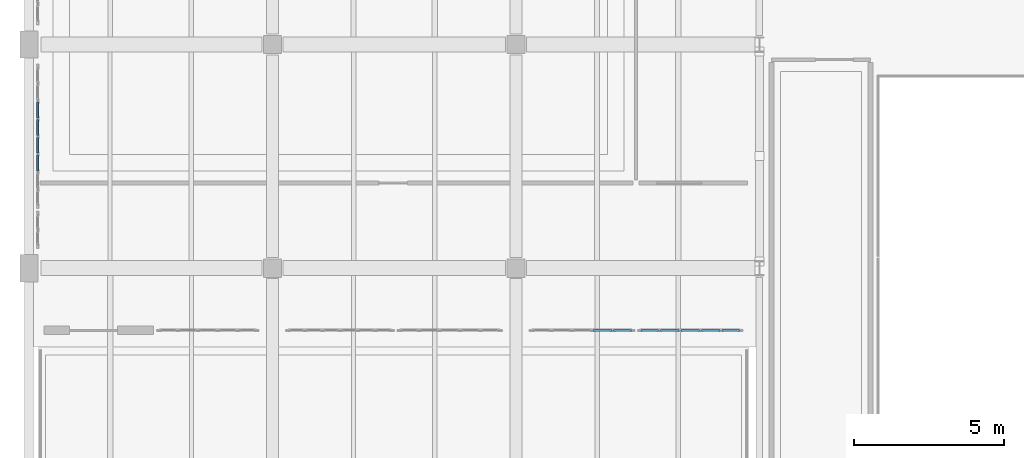
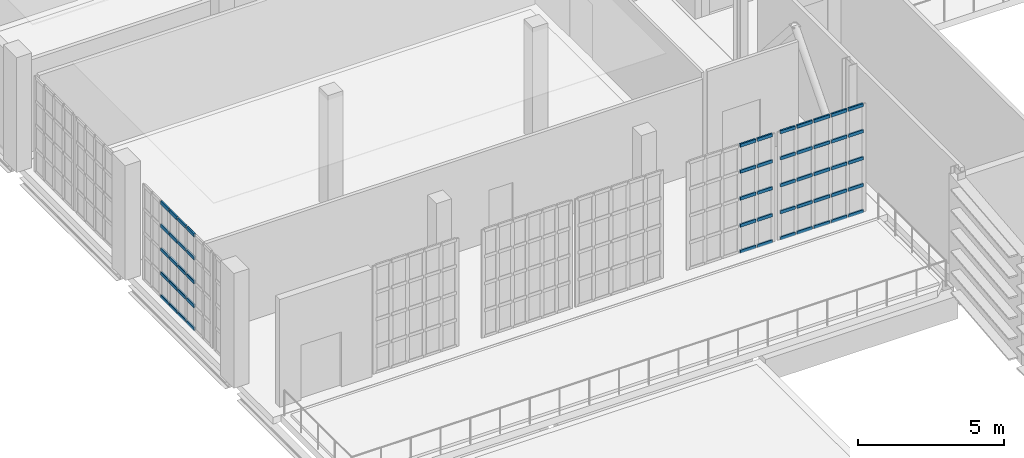
# One storey, part 55 of 104: 55 members, 3 elements without a shape of their own.
"""IFC4 building model written with IfcOpenShell, lengths in metres."""

from ifc_helpers import new_model, si_unit, direction, frame, origin, origin_2d, place, context, subcontext, project, spatial, hollow_rectangle, extrude, material, material_profile, profile_set, type_object, element, aggregate, save


model = new_model("IFC4")

# Units and contexts
model_context = context("Model", 3, precision=1e-05, world=origin(), true_north=direction((0.0, 1.0)))
body_context = subcontext(model_context, "Body", "Model", "MODEL_VIEW")
ifc_project = project(units=[si_unit("LENGTHUNIT", "METRE"), si_unit("AREAUNIT", "SQUARE_METRE"), si_unit("VOLUMEUNIT", "CUBIC_METRE"), si_unit("PLANEANGLEUNIT", "RADIAN"), si_unit("MASSUNIT", "GRAM", prefix="KILO")], contexts=[model_context])

# Site, building, storey
site_placement = place(None, origin())
site = spatial("IfcSite", under=ifc_project, at=site_placement, CompositionType="ELEMENT")
building_placement = place(site_placement, origin())
building = spatial("IfcBuilding", under=site, at=building_placement, Name="Kaelora Sail Theatre", CompositionType="ELEMENT")
storey_placement = place(building_placement, frame((0.0, 0.0, 5.39990234375)))
storey = spatial("IfcBuildingStorey", under=building, at=storey_placement, Name="L01", CompositionType="ELEMENT", Elevation=5.39990234375)

# Curtain wall, members
ifc_material_1 = material(Name="Anodised aluminium and solar-control low-E IGU", Category="aluminium")
curtain_wall_type_1 = type_object("IfcCurtainWallType", Name="ARC-CW-CW-FOY2", PredefinedType="NOTDEFINED", material=ifc_material_1)
curtain_wall_1_placement = place(storey_placement, origin())
curtain_wall_1 = element("IfcCurtainWall", 1, at=curtain_wall_1_placement, inside=storey, type_object=curtain_wall_type_1, Name="Glazed Foyer/Conservatory Curtain Wall FW1-S-L01-04", PredefinedType="NOTDEFINED")
ifc_material_2 = material(Name="Anodised aluminium 6063-T6", Category="aluminium")
ifc_material_profile = material_profile(ifc_material_2, hollow_rectangle(XDim=0.070068359375, YDim=0.139892578125, WallThickness=0.00390625, InnerFilletRadius=0.00390625, OuterFilletRadius=0.008056640625, at=origin_2d()), Name="ALU-TRAN 70x140x4")
ifc_profile_set = profile_set([ifc_material_profile], Name="Anodised aluminium 6063-T6")
member_type = type_object("IfcMemberType", Name="ARC-MEM-TR-140", PredefinedType="USERDEFINED", material=ifc_profile_set)
member_1_placement = place(storey_placement, frame((20.27001953125, 66.389892578125, 0.03515625), z_axis=(1.0, 0.0, 0.0), x_axis=(0.0, 1.0, 0.0)))
member_1 = element("IfcMember", 2, at=member_1_placement, type_object=member_type, Name="CW-FOY2 transom 4.1", ObjectType="TRANSOM", PredefinedType="USERDEFINED", context=body_context, shape_type="SweptSolid", body=[
    extrude(hollow_rectangle(XDim=0.070068359375, YDim=0.139892578125, WallThickness=0.00390625, InnerFilletRadius=0.00390625, OuterFilletRadius=0.008056640625, at=origin_2d()), origin(), (0.0, 0.0, 1.0), 0.619873046875),
])
member_2_placement = place(storey_placement, frame((20.27001953125, 66.389892578125, 1.12646484375), z_axis=(1.0, 0.0, 0.0), x_axis=(0.0, 1.0, 0.0)))
member_2 = element("IfcMember", 3, at=member_2_placement, type_object=member_type, Name="CW-FOY2 transom 4.2", ObjectType="TRANSOM", PredefinedType="USERDEFINED", context=body_context, shape_type="SweptSolid", body=[
    extrude(hollow_rectangle(XDim=0.070068359375, YDim=0.139892578125, WallThickness=0.00390625, InnerFilletRadius=0.00390625, OuterFilletRadius=0.008056640625, at=origin_2d()), origin(), (0.0, 0.0, 1.0), 0.619873046875),
])
member_3_placement = place(storey_placement, frame((20.27001953125, 66.389892578125, 2.252685546875), z_axis=(1.0, 0.0, 0.0), x_axis=(0.0, 1.0, 0.0)))
member_3 = element("IfcMember", 4, at=member_3_placement, type_object=member_type, Name="CW-FOY2 transom 4.3", ObjectType="TRANSOM", PredefinedType="USERDEFINED", context=body_context, shape_type="SweptSolid", body=[
    extrude(hollow_rectangle(XDim=0.070068359375, YDim=0.139892578125, WallThickness=0.00390625, InnerFilletRadius=0.00390625, OuterFilletRadius=0.008056640625, at=origin_2d()), origin(), (0.0, 0.0, 1.0), 0.619873046875),
])
member_4_placement = place(storey_placement, frame((20.27001953125, 66.389892578125, 3.37890625), z_axis=(1.0, 0.0, 0.0), x_axis=(0.0, 1.0, 0.0)))
member_4 = element("IfcMember", 5, at=member_4_placement, type_object=member_type, Name="CW-FOY2 transom 4.4", ObjectType="TRANSOM", PredefinedType="USERDEFINED", context=body_context, shape_type="SweptSolid", body=[
    extrude(hollow_rectangle(XDim=0.070068359375, YDim=0.139892578125, WallThickness=0.00390625, InnerFilletRadius=0.00390625, OuterFilletRadius=0.008056640625, at=origin_2d()), origin(), (0.0, 0.0, 1.0), 0.619873046875),
])
member_5_placement = place(storey_placement, frame((20.27001953125, 66.389892578125, 4.47021484375), z_axis=(1.0, 0.0, 0.0), x_axis=(0.0, 1.0, 0.0)))
member_5 = element("IfcMember", 6, at=member_5_placement, type_object=member_type, Name="CW-FOY2 transom 4.5", ObjectType="TRANSOM", PredefinedType="USERDEFINED", context=body_context, shape_type="SweptSolid", body=[
    extrude(hollow_rectangle(XDim=0.070068359375, YDim=0.139892578125, WallThickness=0.00390625, InnerFilletRadius=0.00390625, OuterFilletRadius=0.008056640625, at=origin_2d()), origin(), (0.0, 0.0, 1.0), 0.619873046875),
])
member_6_placement = place(storey_placement, frame((20.949951171875, 66.389892578125, 0.03515625), z_axis=(1.0, 0.0, 0.0), x_axis=(0.0, 1.0, 0.0)))
member_6 = element("IfcMember", 7, at=member_6_placement, type_object=member_type, Name="CW-FOY2 transom 5.1", ObjectType="TRANSOM", PredefinedType="USERDEFINED", context=body_context, shape_type="SweptSolid", body=[
    extrude(hollow_rectangle(XDim=0.070068359375, YDim=0.139892578125, WallThickness=0.00390625, InnerFilletRadius=0.00390625, OuterFilletRadius=0.008056640625, at=origin_2d()), origin(), (0.0, 0.0, 1.0), 0.590087890625),
])
member_7_placement = place(storey_placement, frame((20.949951171875, 66.389892578125, 1.12646484375), z_axis=(1.0, 0.0, 0.0), x_axis=(0.0, 1.0, 0.0)))
member_7 = element("IfcMember", 8, at=member_7_placement, type_object=member_type, Name="CW-FOY2 transom 5.2", ObjectType="TRANSOM", PredefinedType="USERDEFINED", context=body_context, shape_type="SweptSolid", body=[
    extrude(hollow_rectangle(XDim=0.070068359375, YDim=0.139892578125, WallThickness=0.00390625, InnerFilletRadius=0.00390625, OuterFilletRadius=0.008056640625, at=origin_2d()), origin(), (0.0, 0.0, 1.0), 0.590087890625),
])
member_8_placement = place(storey_placement, frame((20.949951171875, 66.389892578125, 2.252685546875), z_axis=(1.0, 0.0, 0.0), x_axis=(0.0, 1.0, 0.0)))
member_8 = element("IfcMember", 9, at=member_8_placement, type_object=member_type, Name="CW-FOY2 transom 5.3", ObjectType="TRANSOM", PredefinedType="USERDEFINED", context=body_context, shape_type="SweptSolid", body=[
    extrude(hollow_rectangle(XDim=0.070068359375, YDim=0.139892578125, WallThickness=0.00390625, InnerFilletRadius=0.00390625, OuterFilletRadius=0.008056640625, at=origin_2d()), origin(), (0.0, 0.0, 1.0), 0.590087890625),
])
member_9_placement = place(storey_placement, frame((20.949951171875, 66.389892578125, 3.37890625), z_axis=(1.0, 0.0, 0.0), x_axis=(0.0, 1.0, 0.0)))
member_9 = element("IfcMember", 10, at=member_9_placement, type_object=member_type, Name="CW-FOY2 transom 5.4", ObjectType="TRANSOM", PredefinedType="USERDEFINED", context=body_context, shape_type="SweptSolid", body=[
    extrude(hollow_rectangle(XDim=0.070068359375, YDim=0.139892578125, WallThickness=0.00390625, InnerFilletRadius=0.00390625, OuterFilletRadius=0.008056640625, at=origin_2d()), origin(), (0.0, 0.0, 1.0), 0.590087890625),
])
member_10_placement = place(storey_placement, frame((20.949951171875, 66.389892578125, 4.47021484375), z_axis=(1.0, 0.0, 0.0), x_axis=(0.0, 1.0, 0.0)))
member_10 = element("IfcMember", 11, at=member_10_placement, type_object=member_type, Name="CW-FOY2 transom 5.5", ObjectType="TRANSOM", PredefinedType="USERDEFINED", context=body_context, shape_type="SweptSolid", body=[
    extrude(hollow_rectangle(XDim=0.070068359375, YDim=0.139892578125, WallThickness=0.00390625, InnerFilletRadius=0.00390625, OuterFilletRadius=0.008056640625, at=origin_2d()), origin(), (0.0, 0.0, 1.0), 0.590087890625),
])
aggregate(curtain_wall_1, [member_1, member_2, member_3, member_4, member_5, member_6, member_7, member_8, member_9, member_10])

curtain_wall_2_placement = place(storey_placement, origin())
curtain_wall_2 = element("IfcCurtainWall", 12, at=curtain_wall_2_placement, inside=storey, type_object=curtain_wall_type_1, Name="Glazed Foyer/Conservatory Curtain Wall FW1-S-L01-05", PredefinedType="NOTDEFINED")
member_11_placement = place(storey_placement, frame((21.860107421875, 66.389892578125, 0.03515625), z_axis=(1.0, 0.0, 0.0), x_axis=(0.0, 1.0, 0.0)))
member_11 = element("IfcMember", 13, at=member_11_placement, type_object=member_type, Name="CW-FOY2 transom 1.1", ObjectType="TRANSOM", PredefinedType="USERDEFINED", context=body_context, shape_type="SweptSolid", body=[
    extrude(hollow_rectangle(XDim=0.070068359375, YDim=0.139892578125, WallThickness=0.00390625, InnerFilletRadius=0.00390625, OuterFilletRadius=0.008056640625, at=origin_2d()), origin(), (0.0, 0.0, 1.0), 0.58984375),
])
member_12_placement = place(storey_placement, frame((21.860107421875, 66.389892578125, 1.12646484375), z_axis=(1.0, 0.0, 0.0), x_axis=(0.0, 1.0, 0.0)))
member_12 = element("IfcMember", 14, at=member_12_placement, type_object=member_type, Name="CW-FOY2 transom 1.2", ObjectType="TRANSOM", PredefinedType="USERDEFINED", context=body_context, shape_type="SweptSolid", body=[
    extrude(hollow_rectangle(XDim=0.070068359375, YDim=0.139892578125, WallThickness=0.00390625, InnerFilletRadius=0.00390625, OuterFilletRadius=0.008056640625, at=origin_2d()), origin(), (0.0, 0.0, 1.0), 0.58984375),
])
member_13_placement = place(storey_placement, frame((21.860107421875, 66.389892578125, 2.252685546875), z_axis=(1.0, 0.0, 0.0), x_axis=(0.0, 1.0, 0.0)))
member_13 = element("IfcMember", 15, at=member_13_placement, type_object=member_type, Name="CW-FOY2 transom 1.3", ObjectType="TRANSOM", PredefinedType="USERDEFINED", context=body_context, shape_type="SweptSolid", body=[
    extrude(hollow_rectangle(XDim=0.070068359375, YDim=0.139892578125, WallThickness=0.00390625, InnerFilletRadius=0.00390625, OuterFilletRadius=0.008056640625, at=origin_2d()), origin(), (0.0, 0.0, 1.0), 0.58984375),
])
member_14_placement = place(storey_placement, frame((21.860107421875, 66.389892578125, 3.37890625), z_axis=(1.0, 0.0, 0.0), x_axis=(0.0, 1.0, 0.0)))
member_14 = element("IfcMember", 16, at=member_14_placement, type_object=member_type, Name="CW-FOY2 transom 1.4", ObjectType="TRANSOM", PredefinedType="USERDEFINED", context=body_context, shape_type="SweptSolid", body=[
    extrude(hollow_rectangle(XDim=0.070068359375, YDim=0.139892578125, WallThickness=0.00390625, InnerFilletRadius=0.00390625, OuterFilletRadius=0.008056640625, at=origin_2d()), origin(), (0.0, 0.0, 1.0), 0.58984375),
])
member_15_placement = place(storey_placement, frame((21.860107421875, 66.389892578125, 4.47021484375), z_axis=(1.0, 0.0, 0.0), x_axis=(0.0, 1.0, 0.0)))
member_15 = element("IfcMember", 17, at=member_15_placement, type_object=member_type, Name="CW-FOY2 transom 1.5", ObjectType="TRANSOM", PredefinedType="USERDEFINED", context=body_context, shape_type="SweptSolid", body=[
    extrude(hollow_rectangle(XDim=0.070068359375, YDim=0.139892578125, WallThickness=0.00390625, InnerFilletRadius=0.00390625, OuterFilletRadius=0.008056640625, at=origin_2d()), origin(), (0.0, 0.0, 1.0), 0.58984375),
])
member_16_placement = place(storey_placement, frame((22.510009765625, 66.389892578125, 0.03515625), z_axis=(1.0, 0.0, 0.0), x_axis=(0.0, 1.0, 0.0)))
member_16 = element("IfcMember", 18, at=member_16_placement, type_object=member_type, Name="CW-FOY2 transom 2.1", ObjectType="TRANSOM", PredefinedType="USERDEFINED", context=body_context, shape_type="SweptSolid", body=[
    extrude(hollow_rectangle(XDim=0.070068359375, YDim=0.139892578125, WallThickness=0.00390625, InnerFilletRadius=0.00390625, OuterFilletRadius=0.008056640625, at=origin_2d()), origin(), (0.0, 0.0, 1.0), 0.619873046875),
])
member_17_placement = place(storey_placement, frame((22.510009765625, 66.389892578125, 1.12646484375), z_axis=(1.0, 0.0, 0.0), x_axis=(0.0, 1.0, 0.0)))
member_17 = element("IfcMember", 19, at=member_17_placement, type_object=member_type, Name="CW-FOY2 transom 2.2", ObjectType="TRANSOM", PredefinedType="USERDEFINED", context=body_context, shape_type="SweptSolid", body=[
    extrude(hollow_rectangle(XDim=0.070068359375, YDim=0.139892578125, WallThickness=0.00390625, InnerFilletRadius=0.00390625, OuterFilletRadius=0.008056640625, at=origin_2d()), origin(), (0.0, 0.0, 1.0), 0.619873046875),
])
member_18_placement = place(storey_placement, frame((22.510009765625, 66.389892578125, 2.252685546875), z_axis=(1.0, 0.0, 0.0), x_axis=(0.0, 1.0, 0.0)))
member_18 = element("IfcMember", 20, at=member_18_placement, type_object=member_type, Name="CW-FOY2 transom 2.3", ObjectType="TRANSOM", PredefinedType="USERDEFINED", context=body_context, shape_type="SweptSolid", body=[
    extrude(hollow_rectangle(XDim=0.070068359375, YDim=0.139892578125, WallThickness=0.00390625, InnerFilletRadius=0.00390625, OuterFilletRadius=0.008056640625, at=origin_2d()), origin(), (0.0, 0.0, 1.0), 0.619873046875),
])
member_19_placement = place(storey_placement, frame((22.510009765625, 66.389892578125, 3.37890625), z_axis=(1.0, 0.0, 0.0), x_axis=(0.0, 1.0, 0.0)))
member_19 = element("IfcMember", 21, at=member_19_placement, type_object=member_type, Name="CW-FOY2 transom 2.4", ObjectType="TRANSOM", PredefinedType="USERDEFINED", context=body_context, shape_type="SweptSolid", body=[
    extrude(hollow_rectangle(XDim=0.070068359375, YDim=0.139892578125, WallThickness=0.00390625, InnerFilletRadius=0.00390625, OuterFilletRadius=0.008056640625, at=origin_2d()), origin(), (0.0, 0.0, 1.0), 0.619873046875),
])
member_20_placement = place(storey_placement, frame((22.510009765625, 66.389892578125, 4.47021484375), z_axis=(1.0, 0.0, 0.0), x_axis=(0.0, 1.0, 0.0)))
member_20 = element("IfcMember", 22, at=member_20_placement, type_object=member_type, Name="CW-FOY2 transom 2.5", ObjectType="TRANSOM", PredefinedType="USERDEFINED", context=body_context, shape_type="SweptSolid", body=[
    extrude(hollow_rectangle(XDim=0.070068359375, YDim=0.139892578125, WallThickness=0.00390625, InnerFilletRadius=0.00390625, OuterFilletRadius=0.008056640625, at=origin_2d()), origin(), (0.0, 0.0, 1.0), 0.619873046875),
])
member_21_placement = place(storey_placement, frame((23.18994140625, 66.389892578125, 0.03515625), z_axis=(1.0, 0.0, 0.0), x_axis=(0.0, 1.0, 0.0)))
member_21 = element("IfcMember", 23, at=member_21_placement, type_object=member_type, Name="CW-FOY2 transom 3.1", ObjectType="TRANSOM", PredefinedType="USERDEFINED", context=body_context, shape_type="SweptSolid", body=[
    extrude(hollow_rectangle(XDim=0.070068359375, YDim=0.139892578125, WallThickness=0.00390625, InnerFilletRadius=0.00390625, OuterFilletRadius=0.008056640625, at=origin_2d()), origin(), (0.0, 0.0, 1.0), 0.6201171875),
])
member_22_placement = place(storey_placement, frame((23.18994140625, 66.389892578125, 1.12646484375), z_axis=(1.0, 0.0, 0.0), x_axis=(0.0, 1.0, 0.0)))
member_22 = element("IfcMember", 24, at=member_22_placement, type_object=member_type, Name="CW-FOY2 transom 3.2", ObjectType="TRANSOM", PredefinedType="USERDEFINED", context=body_context, shape_type="SweptSolid", body=[
    extrude(hollow_rectangle(XDim=0.070068359375, YDim=0.139892578125, WallThickness=0.00390625, InnerFilletRadius=0.00390625, OuterFilletRadius=0.008056640625, at=origin_2d()), origin(), (0.0, 0.0, 1.0), 0.6201171875),
])
member_23_placement = place(storey_placement, frame((23.18994140625, 66.389892578125, 2.252685546875), z_axis=(1.0, 0.0, 0.0), x_axis=(0.0, 1.0, 0.0)))
member_23 = element("IfcMember", 25, at=member_23_placement, type_object=member_type, Name="CW-FOY2 transom 3.3", ObjectType="TRANSOM", PredefinedType="USERDEFINED", context=body_context, shape_type="SweptSolid", body=[
    extrude(hollow_rectangle(XDim=0.070068359375, YDim=0.139892578125, WallThickness=0.00390625, InnerFilletRadius=0.00390625, OuterFilletRadius=0.008056640625, at=origin_2d()), origin(), (0.0, 0.0, 1.0), 0.6201171875),
])
member_24_placement = place(storey_placement, frame((23.18994140625, 66.389892578125, 3.37890625), z_axis=(1.0, 0.0, 0.0), x_axis=(0.0, 1.0, 0.0)))
member_24 = element("IfcMember", 26, at=member_24_placement, type_object=member_type, Name="CW-FOY2 transom 3.4", ObjectType="TRANSOM", PredefinedType="USERDEFINED", context=body_context, shape_type="SweptSolid", body=[
    extrude(hollow_rectangle(XDim=0.070068359375, YDim=0.139892578125, WallThickness=0.00390625, InnerFilletRadius=0.00390625, OuterFilletRadius=0.008056640625, at=origin_2d()), origin(), (0.0, 0.0, 1.0), 0.6201171875),
])
member_25_placement = place(storey_placement, frame((23.18994140625, 66.389892578125, 4.47021484375), z_axis=(1.0, 0.0, 0.0), x_axis=(0.0, 1.0, 0.0)))
member_25 = element("IfcMember", 27, at=member_25_placement, type_object=member_type, Name="CW-FOY2 transom 3.5", ObjectType="TRANSOM", PredefinedType="USERDEFINED", context=body_context, shape_type="SweptSolid", body=[
    extrude(hollow_rectangle(XDim=0.070068359375, YDim=0.139892578125, WallThickness=0.00390625, InnerFilletRadius=0.00390625, OuterFilletRadius=0.008056640625, at=origin_2d()), origin(), (0.0, 0.0, 1.0), 0.6201171875),
])
member_26_placement = place(storey_placement, frame((23.8701171875, 66.389892578125, 0.03515625), z_axis=(1.0, 0.0, 0.0), x_axis=(0.0, 1.0, 0.0)))
member_26 = element("IfcMember", 28, at=member_26_placement, type_object=member_type, Name="CW-FOY2 transom 4.1", ObjectType="TRANSOM", PredefinedType="USERDEFINED", context=body_context, shape_type="SweptSolid", body=[
    extrude(hollow_rectangle(XDim=0.070068359375, YDim=0.139892578125, WallThickness=0.00390625, InnerFilletRadius=0.00390625, OuterFilletRadius=0.008056640625, at=origin_2d()), origin(), (0.0, 0.0, 1.0), 0.619873046875),
])
member_27_placement = place(storey_placement, frame((23.8701171875, 66.389892578125, 1.12646484375), z_axis=(1.0, 0.0, 0.0), x_axis=(0.0, 1.0, 0.0)))
member_27 = element("IfcMember", 29, at=member_27_placement, type_object=member_type, Name="CW-FOY2 transom 4.2", ObjectType="TRANSOM", PredefinedType="USERDEFINED", context=body_context, shape_type="SweptSolid", body=[
    extrude(hollow_rectangle(XDim=0.070068359375, YDim=0.139892578125, WallThickness=0.00390625, InnerFilletRadius=0.00390625, OuterFilletRadius=0.008056640625, at=origin_2d()), origin(), (0.0, 0.0, 1.0), 0.619873046875),
])
member_28_placement = place(storey_placement, frame((23.8701171875, 66.389892578125, 2.252685546875), z_axis=(1.0, 0.0, 0.0), x_axis=(0.0, 1.0, 0.0)))
member_28 = element("IfcMember", 30, at=member_28_placement, type_object=member_type, Name="CW-FOY2 transom 4.3", ObjectType="TRANSOM", PredefinedType="USERDEFINED", context=body_context, shape_type="SweptSolid", body=[
    extrude(hollow_rectangle(XDim=0.070068359375, YDim=0.139892578125, WallThickness=0.00390625, InnerFilletRadius=0.00390625, OuterFilletRadius=0.008056640625, at=origin_2d()), origin(), (0.0, 0.0, 1.0), 0.619873046875),
])
member_29_placement = place(storey_placement, frame((23.8701171875, 66.389892578125, 3.37890625), z_axis=(1.0, 0.0, 0.0), x_axis=(0.0, 1.0, 0.0)))
member_29 = element("IfcMember", 31, at=member_29_placement, type_object=member_type, Name="CW-FOY2 transom 4.4", ObjectType="TRANSOM", PredefinedType="USERDEFINED", context=body_context, shape_type="SweptSolid", body=[
    extrude(hollow_rectangle(XDim=0.070068359375, YDim=0.139892578125, WallThickness=0.00390625, InnerFilletRadius=0.00390625, OuterFilletRadius=0.008056640625, at=origin_2d()), origin(), (0.0, 0.0, 1.0), 0.619873046875),
])
member_30_placement = place(storey_placement, frame((23.8701171875, 66.389892578125, 4.47021484375), z_axis=(1.0, 0.0, 0.0), x_axis=(0.0, 1.0, 0.0)))
member_30 = element("IfcMember", 32, at=member_30_placement, type_object=member_type, Name="CW-FOY2 transom 4.5", ObjectType="TRANSOM", PredefinedType="USERDEFINED", context=body_context, shape_type="SweptSolid", body=[
    extrude(hollow_rectangle(XDim=0.070068359375, YDim=0.139892578125, WallThickness=0.00390625, InnerFilletRadius=0.00390625, OuterFilletRadius=0.008056640625, at=origin_2d()), origin(), (0.0, 0.0, 1.0), 0.619873046875),
])
member_31_placement = place(storey_placement, frame((24.550048828125, 66.389892578125, 0.03515625), z_axis=(1.0, 0.0, 0.0), x_axis=(0.0, 1.0, 0.0)))
member_31 = element("IfcMember", 33, at=member_31_placement, type_object=member_type, Name="CW-FOY2 transom 5.1", ObjectType="TRANSOM", PredefinedType="USERDEFINED", context=body_context, shape_type="SweptSolid", body=[
    extrude(hollow_rectangle(XDim=0.070068359375, YDim=0.139892578125, WallThickness=0.00390625, InnerFilletRadius=0.00390625, OuterFilletRadius=0.008056640625, at=origin_2d()), origin(), (0.0, 0.0, 1.0), 0.58984375),
])
member_32_placement = place(storey_placement, frame((24.550048828125, 66.389892578125, 1.12646484375), z_axis=(1.0, 0.0, 0.0), x_axis=(0.0, 1.0, 0.0)))
member_32 = element("IfcMember", 34, at=member_32_placement, type_object=member_type, Name="CW-FOY2 transom 5.2", ObjectType="TRANSOM", PredefinedType="USERDEFINED", context=body_context, shape_type="SweptSolid", body=[
    extrude(hollow_rectangle(XDim=0.070068359375, YDim=0.139892578125, WallThickness=0.00390625, InnerFilletRadius=0.00390625, OuterFilletRadius=0.008056640625, at=origin_2d()), origin(), (0.0, 0.0, 1.0), 0.58984375),
])
member_33_placement = place(storey_placement, frame((24.550048828125, 66.389892578125, 2.252685546875), z_axis=(1.0, 0.0, 0.0), x_axis=(0.0, 1.0, 0.0)))
member_33 = element("IfcMember", 35, at=member_33_placement, type_object=member_type, Name="CW-FOY2 transom 5.3", ObjectType="TRANSOM", PredefinedType="USERDEFINED", context=body_context, shape_type="SweptSolid", body=[
    extrude(hollow_rectangle(XDim=0.070068359375, YDim=0.139892578125, WallThickness=0.00390625, InnerFilletRadius=0.00390625, OuterFilletRadius=0.008056640625, at=origin_2d()), origin(), (0.0, 0.0, 1.0), 0.58984375),
])
member_34_placement = place(storey_placement, frame((24.550048828125, 66.389892578125, 3.37890625), z_axis=(1.0, 0.0, 0.0), x_axis=(0.0, 1.0, 0.0)))
member_34 = element("IfcMember", 36, at=member_34_placement, type_object=member_type, Name="CW-FOY2 transom 5.4", ObjectType="TRANSOM", PredefinedType="USERDEFINED", context=body_context, shape_type="SweptSolid", body=[
    extrude(hollow_rectangle(XDim=0.070068359375, YDim=0.139892578125, WallThickness=0.00390625, InnerFilletRadius=0.00390625, OuterFilletRadius=0.008056640625, at=origin_2d()), origin(), (0.0, 0.0, 1.0), 0.58984375),
])
member_35_placement = place(storey_placement, frame((24.550048828125, 66.389892578125, 4.47021484375), z_axis=(1.0, 0.0, 0.0), x_axis=(0.0, 1.0, 0.0)))
member_35 = element("IfcMember", 37, at=member_35_placement, type_object=member_type, Name="CW-FOY2 transom 5.5", ObjectType="TRANSOM", PredefinedType="USERDEFINED", context=body_context, shape_type="SweptSolid", body=[
    extrude(hollow_rectangle(XDim=0.070068359375, YDim=0.139892578125, WallThickness=0.00390625, InnerFilletRadius=0.00390625, OuterFilletRadius=0.008056640625, at=origin_2d()), origin(), (0.0, 0.0, 1.0), 0.58984375),
])
aggregate(curtain_wall_2, [member_11, member_12, member_13, member_14, member_15, member_16, member_17, member_18, member_19, member_20, member_21, member_22, member_23, member_24, member_25, member_26, member_27, member_28, member_29, member_30, member_31, member_32, member_33, member_34, member_35])

ifc_material_3 = material(Name="Anodised aluminium and solar-control low-E IGU", Category="aluminium")
curtain_wall_type_2 = type_object("IfcCurtainWallType", Name="ARC-CW-CW-PROW", PredefinedType="NOTDEFINED", material=ifc_material_3)
curtain_wall_3_placement = place(storey_placement, origin())
curtain_wall_3 = element("IfcCurtainWall", 38, at=curtain_wall_3_placement, inside=storey, type_object=curtain_wall_type_2, Name="Glazed Colonnade/Courtyard Curtain Wall FW1-W-L01-02", PredefinedType="NOTDEFINED")
member_36_placement = place(storey_placement, frame((1.7900390625, 71.702392578125, 0.03515625), z_axis=(0.0, 1.0, 0.0), x_axis=(-1.0, 0.0, 0.0)))
member_36 = element("IfcMember", 39, at=member_36_placement, type_object=member_type, Name="CW-PROW transom 3.1", ObjectType="TRANSOM", PredefinedType="USERDEFINED", context=body_context, shape_type="SweptSolid", body=[
    extrude(hollow_rectangle(XDim=0.070068359375, YDim=0.139892578125, WallThickness=0.00390625, InnerFilletRadius=0.00390625, OuterFilletRadius=0.008056640625, at=origin_2d()), origin(), (0.0, 0.0, 1.0), 0.5263671875),
])
member_37_placement = place(storey_placement, frame((1.7900390625, 71.702392578125, 0.996826171875), z_axis=(0.0, 1.0, 0.0), x_axis=(-1.0, 0.0, 0.0)))
member_37 = element("IfcMember", 40, at=member_37_placement, type_object=member_type, Name="CW-PROW transom 3.2", ObjectType="TRANSOM", PredefinedType="USERDEFINED", context=body_context, shape_type="SweptSolid", body=[
    extrude(hollow_rectangle(XDim=0.070068359375, YDim=0.139892578125, WallThickness=0.00390625, InnerFilletRadius=0.00390625, OuterFilletRadius=0.008056640625, at=origin_2d()), origin(), (0.0, 0.0, 1.0), 0.5263671875),
])
member_38_placement = place(storey_placement, frame((1.7900390625, 71.702392578125, 1.99365234375), z_axis=(0.0, 1.0, 0.0), x_axis=(-1.0, 0.0, 0.0)))
member_38 = element("IfcMember", 41, at=member_38_placement, type_object=member_type, Name="CW-PROW transom 3.3", ObjectType="TRANSOM", PredefinedType="USERDEFINED", context=body_context, shape_type="SweptSolid", body=[
    extrude(hollow_rectangle(XDim=0.070068359375, YDim=0.139892578125, WallThickness=0.00390625, InnerFilletRadius=0.00390625, OuterFilletRadius=0.008056640625, at=origin_2d()), origin(), (0.0, 0.0, 1.0), 0.5263671875),
])
member_39_placement = place(storey_placement, frame((1.7900390625, 71.702392578125, 2.990234375), z_axis=(0.0, 1.0, 0.0), x_axis=(-1.0, 0.0, 0.0)))
member_39 = element("IfcMember", 42, at=member_39_placement, type_object=member_type, Name="CW-PROW transom 3.4", ObjectType="TRANSOM", PredefinedType="USERDEFINED", context=body_context, shape_type="SweptSolid", body=[
    extrude(hollow_rectangle(XDim=0.070068359375, YDim=0.139892578125, WallThickness=0.00390625, InnerFilletRadius=0.00390625, OuterFilletRadius=0.008056640625, at=origin_2d()), origin(), (0.0, 0.0, 1.0), 0.5263671875),
])
member_40_placement = place(storey_placement, frame((1.7900390625, 71.702392578125, 3.9521484375), z_axis=(0.0, 1.0, 0.0), x_axis=(-1.0, 0.0, 0.0)))
member_40 = element("IfcMember", 43, at=member_40_placement, type_object=member_type, Name="CW-PROW transom 3.5", ObjectType="TRANSOM", PredefinedType="USERDEFINED", context=body_context, shape_type="SweptSolid", body=[
    extrude(hollow_rectangle(XDim=0.070068359375, YDim=0.139892578125, WallThickness=0.00390625, InnerFilletRadius=0.00390625, OuterFilletRadius=0.008056640625, at=origin_2d()), origin(), (0.0, 0.0, 1.0), 0.5263671875),
])
member_41_placement = place(storey_placement, frame((1.7900390625, 72.288818359375, 0.03515625), z_axis=(0.0, 1.0, 0.0), x_axis=(-1.0, 0.0, 0.0)))
member_41 = element("IfcMember", 44, at=member_41_placement, type_object=member_type, Name="CW-PROW transom 4.1", ObjectType="TRANSOM", PredefinedType="USERDEFINED", context=body_context, shape_type="SweptSolid", body=[
    extrude(hollow_rectangle(XDim=0.070068359375, YDim=0.139892578125, WallThickness=0.00390625, InnerFilletRadius=0.00390625, OuterFilletRadius=0.008056640625, at=origin_2d()), origin(), (0.0, 0.0, 1.0), 0.526123046875),
])
member_42_placement = place(storey_placement, frame((1.7900390625, 72.288818359375, 0.996826171875), z_axis=(0.0, 1.0, 0.0), x_axis=(-1.0, 0.0, 0.0)))
member_42 = element("IfcMember", 45, at=member_42_placement, type_object=member_type, Name="CW-PROW transom 4.2", ObjectType="TRANSOM", PredefinedType="USERDEFINED", context=body_context, shape_type="SweptSolid", body=[
    extrude(hollow_rectangle(XDim=0.070068359375, YDim=0.139892578125, WallThickness=0.00390625, InnerFilletRadius=0.00390625, OuterFilletRadius=0.008056640625, at=origin_2d()), origin(), (0.0, 0.0, 1.0), 0.526123046875),
])
member_43_placement = place(storey_placement, frame((1.7900390625, 72.288818359375, 1.99365234375), z_axis=(0.0, 1.0, 0.0), x_axis=(-1.0, 0.0, 0.0)))
member_43 = element("IfcMember", 46, at=member_43_placement, type_object=member_type, Name="CW-PROW transom 4.3", ObjectType="TRANSOM", PredefinedType="USERDEFINED", context=body_context, shape_type="SweptSolid", body=[
    extrude(hollow_rectangle(XDim=0.070068359375, YDim=0.139892578125, WallThickness=0.00390625, InnerFilletRadius=0.00390625, OuterFilletRadius=0.008056640625, at=origin_2d()), origin(), (0.0, 0.0, 1.0), 0.526123046875),
])
member_44_placement = place(storey_placement, frame((1.7900390625, 72.288818359375, 2.990234375), z_axis=(0.0, 1.0, 0.0), x_axis=(-1.0, 0.0, 0.0)))
member_44 = element("IfcMember", 47, at=member_44_placement, type_object=member_type, Name="CW-PROW transom 4.4", ObjectType="TRANSOM", PredefinedType="USERDEFINED", context=body_context, shape_type="SweptSolid", body=[
    extrude(hollow_rectangle(XDim=0.070068359375, YDim=0.139892578125, WallThickness=0.00390625, InnerFilletRadius=0.00390625, OuterFilletRadius=0.008056640625, at=origin_2d()), origin(), (0.0, 0.0, 1.0), 0.526123046875),
])
member_45_placement = place(storey_placement, frame((1.7900390625, 72.288818359375, 3.9521484375), z_axis=(0.0, 1.0, 0.0), x_axis=(-1.0, 0.0, 0.0)))
member_45 = element("IfcMember", 48, at=member_45_placement, type_object=member_type, Name="CW-PROW transom 4.5", ObjectType="TRANSOM", PredefinedType="USERDEFINED", context=body_context, shape_type="SweptSolid", body=[
    extrude(hollow_rectangle(XDim=0.070068359375, YDim=0.139892578125, WallThickness=0.00390625, InnerFilletRadius=0.00390625, OuterFilletRadius=0.008056640625, at=origin_2d()), origin(), (0.0, 0.0, 1.0), 0.526123046875),
])
member_46_placement = place(storey_placement, frame((1.7900390625, 72.875, 0.03515625), z_axis=(0.0, 1.0, 0.0), x_axis=(-1.0, 0.0, 0.0)))
member_46 = element("IfcMember", 49, at=member_46_placement, type_object=member_type, Name="CW-PROW transom 5.1", ObjectType="TRANSOM", PredefinedType="USERDEFINED", context=body_context, shape_type="SweptSolid", body=[
    extrude(hollow_rectangle(XDim=0.070068359375, YDim=0.139892578125, WallThickness=0.00390625, InnerFilletRadius=0.00390625, OuterFilletRadius=0.008056640625, at=origin_2d()), origin(), (0.0, 0.0, 1.0), 0.5263671875),
])
member_47_placement = place(storey_placement, frame((1.7900390625, 72.875, 0.996826171875), z_axis=(0.0, 1.0, 0.0), x_axis=(-1.0, 0.0, 0.0)))
member_47 = element("IfcMember", 50, at=member_47_placement, type_object=member_type, Name="CW-PROW transom 5.2", ObjectType="TRANSOM", PredefinedType="USERDEFINED", context=body_context, shape_type="SweptSolid", body=[
    extrude(hollow_rectangle(XDim=0.070068359375, YDim=0.139892578125, WallThickness=0.00390625, InnerFilletRadius=0.00390625, OuterFilletRadius=0.008056640625, at=origin_2d()), origin(), (0.0, 0.0, 1.0), 0.5263671875),
])
member_48_placement = place(storey_placement, frame((1.7900390625, 72.875, 1.99365234375), z_axis=(0.0, 1.0, 0.0), x_axis=(-1.0, 0.0, 0.0)))
member_48 = element("IfcMember", 51, at=member_48_placement, type_object=member_type, Name="CW-PROW transom 5.3", ObjectType="TRANSOM", PredefinedType="USERDEFINED", context=body_context, shape_type="SweptSolid", body=[
    extrude(hollow_rectangle(XDim=0.070068359375, YDim=0.139892578125, WallThickness=0.00390625, InnerFilletRadius=0.00390625, OuterFilletRadius=0.008056640625, at=origin_2d()), origin(), (0.0, 0.0, 1.0), 0.5263671875),
])
member_49_placement = place(storey_placement, frame((1.7900390625, 72.875, 2.990234375), z_axis=(0.0, 1.0, 0.0), x_axis=(-1.0, 0.0, 0.0)))
member_49 = element("IfcMember", 52, at=member_49_placement, type_object=member_type, Name="CW-PROW transom 5.4", ObjectType="TRANSOM", PredefinedType="USERDEFINED", context=body_context, shape_type="SweptSolid", body=[
    extrude(hollow_rectangle(XDim=0.070068359375, YDim=0.139892578125, WallThickness=0.00390625, InnerFilletRadius=0.00390625, OuterFilletRadius=0.008056640625, at=origin_2d()), origin(), (0.0, 0.0, 1.0), 0.5263671875),
])
member_50_placement = place(storey_placement, frame((1.7900390625, 72.875, 3.9521484375), z_axis=(0.0, 1.0, 0.0), x_axis=(-1.0, 0.0, 0.0)))
member_50 = element("IfcMember", 53, at=member_50_placement, type_object=member_type, Name="CW-PROW transom 5.5", ObjectType="TRANSOM", PredefinedType="USERDEFINED", context=body_context, shape_type="SweptSolid", body=[
    extrude(hollow_rectangle(XDim=0.070068359375, YDim=0.139892578125, WallThickness=0.00390625, InnerFilletRadius=0.00390625, OuterFilletRadius=0.008056640625, at=origin_2d()), origin(), (0.0, 0.0, 1.0), 0.5263671875),
])
member_51_placement = place(storey_placement, frame((1.7900390625, 73.461181640625, 0.03515625), z_axis=(0.0, 1.0, 0.0), x_axis=(-1.0, 0.0, 0.0)))
member_51 = element("IfcMember", 54, at=member_51_placement, type_object=member_type, Name="CW-PROW transom 6.1", ObjectType="TRANSOM", PredefinedType="USERDEFINED", context=body_context, shape_type="SweptSolid", body=[
    extrude(hollow_rectangle(XDim=0.070068359375, YDim=0.139892578125, WallThickness=0.00390625, InnerFilletRadius=0.00390625, OuterFilletRadius=0.008056640625, at=origin_2d()), origin(), (0.0, 0.0, 1.0), 0.5263671875),
])
member_52_placement = place(storey_placement, frame((1.7900390625, 73.461181640625, 0.996826171875), z_axis=(0.0, 1.0, 0.0), x_axis=(-1.0, 0.0, 0.0)))
member_52 = element("IfcMember", 55, at=member_52_placement, type_object=member_type, Name="CW-PROW transom 6.2", ObjectType="TRANSOM", PredefinedType="USERDEFINED", context=body_context, shape_type="SweptSolid", body=[
    extrude(hollow_rectangle(XDim=0.070068359375, YDim=0.139892578125, WallThickness=0.00390625, InnerFilletRadius=0.00390625, OuterFilletRadius=0.008056640625, at=origin_2d()), origin(), (0.0, 0.0, 1.0), 0.5263671875),
])
member_53_placement = place(storey_placement, frame((1.7900390625, 73.461181640625, 1.99365234375), z_axis=(0.0, 1.0, 0.0), x_axis=(-1.0, 0.0, 0.0)))
member_53 = element("IfcMember", 56, at=member_53_placement, type_object=member_type, Name="CW-PROW transom 6.3", ObjectType="TRANSOM", PredefinedType="USERDEFINED", context=body_context, shape_type="SweptSolid", body=[
    extrude(hollow_rectangle(XDim=0.070068359375, YDim=0.139892578125, WallThickness=0.00390625, InnerFilletRadius=0.00390625, OuterFilletRadius=0.008056640625, at=origin_2d()), origin(), (0.0, 0.0, 1.0), 0.5263671875),
])
member_54_placement = place(storey_placement, frame((1.7900390625, 73.461181640625, 2.990234375), z_axis=(0.0, 1.0, 0.0), x_axis=(-1.0, 0.0, 0.0)))
member_54 = element("IfcMember", 57, at=member_54_placement, type_object=member_type, Name="CW-PROW transom 6.4", ObjectType="TRANSOM", PredefinedType="USERDEFINED", context=body_context, shape_type="SweptSolid", body=[
    extrude(hollow_rectangle(XDim=0.070068359375, YDim=0.139892578125, WallThickness=0.00390625, InnerFilletRadius=0.00390625, OuterFilletRadius=0.008056640625, at=origin_2d()), origin(), (0.0, 0.0, 1.0), 0.5263671875),
])
member_55_placement = place(storey_placement, frame((1.7900390625, 73.461181640625, 3.9521484375), z_axis=(0.0, 1.0, 0.0), x_axis=(-1.0, 0.0, 0.0)))
member_55 = element("IfcMember", 58, at=member_55_placement, type_object=member_type, Name="CW-PROW transom 6.5", ObjectType="TRANSOM", PredefinedType="USERDEFINED", context=body_context, shape_type="SweptSolid", body=[
    extrude(hollow_rectangle(XDim=0.070068359375, YDim=0.139892578125, WallThickness=0.00390625, InnerFilletRadius=0.00390625, OuterFilletRadius=0.008056640625, at=origin_2d()), origin(), (0.0, 0.0, 1.0), 0.5263671875),
])
aggregate(curtain_wall_3, [member_36, member_37, member_38, member_39, member_40, member_41, member_42, member_43, member_44, member_45, member_46, member_47, member_48, member_49, member_50, member_51, member_52, member_53, member_54, member_55])

save(model, "model.ifc")
